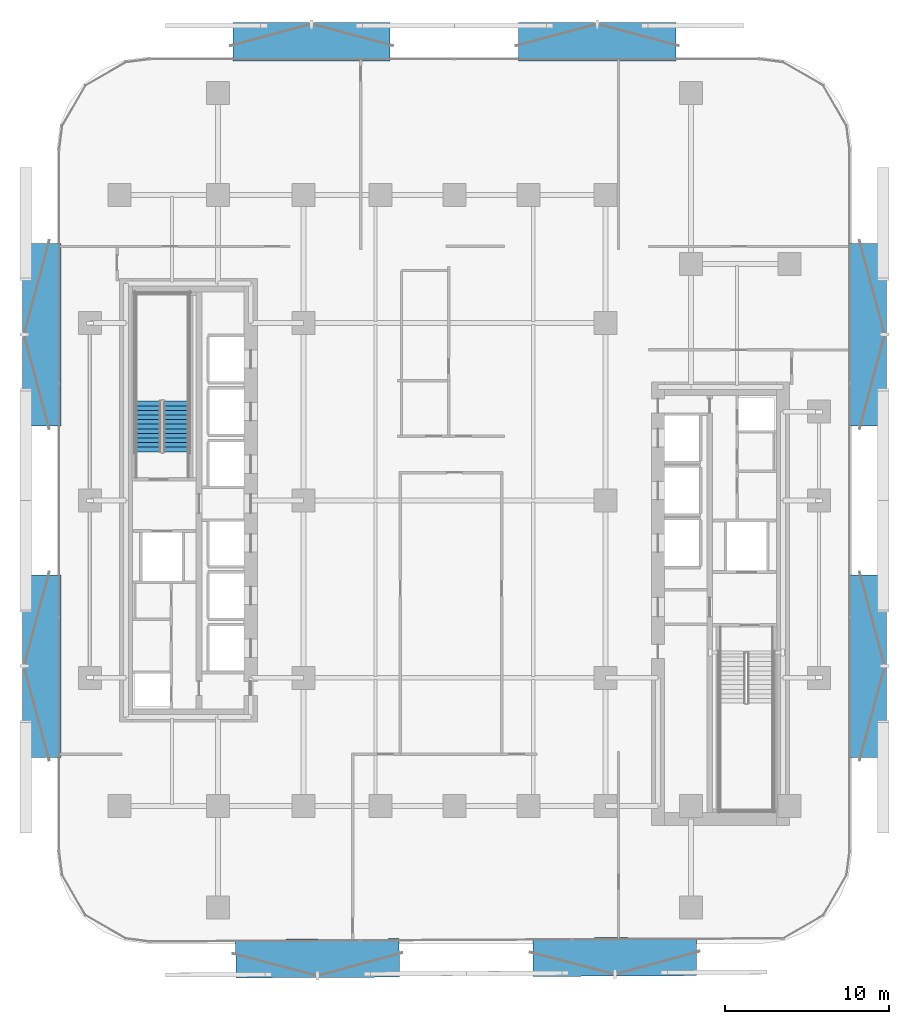
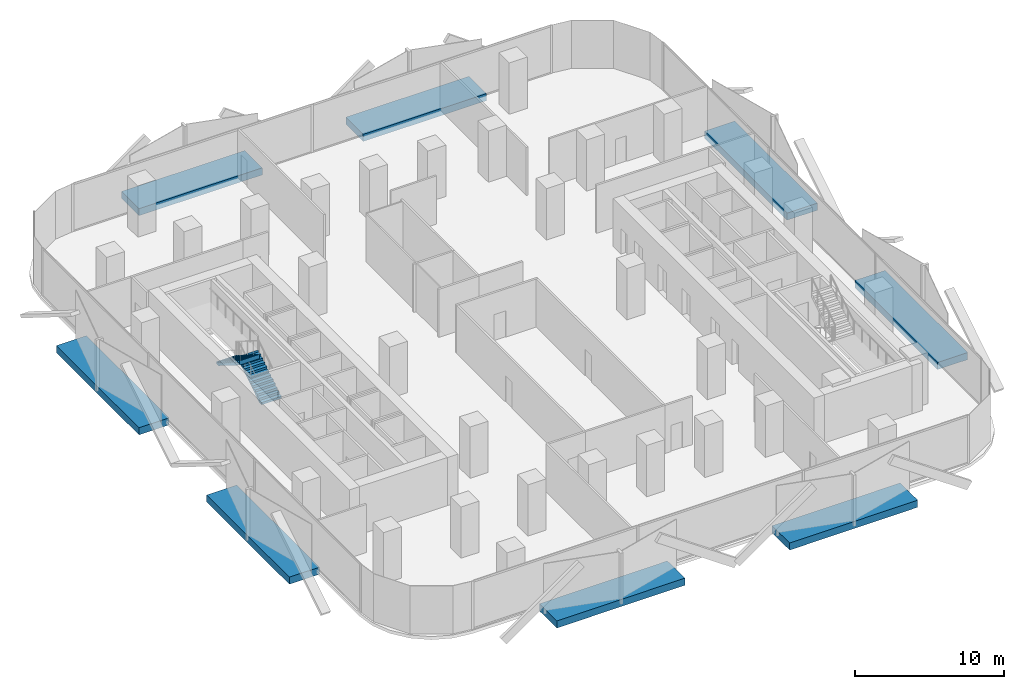
# One storey, part 6 of 15: 8 discrete accessories, 2 stair flights, 1 element without a shape of its own.
"""IFC4 building model written with IfcOpenShell, lengths in metres."""

from ifc_helpers import new_model, si_unit, direction, frame, origin, origin_2d, place, context, subcontext, project, spatial, polyline, rectangle, outline, extrude, material, layer, layer_set, type_object, element, aggregate, save


model = new_model("IFC4")

# Units and contexts
model_context = context("Model", 3, precision=1e-05, world=origin(), true_north=direction((0.0, 1.0)))
body_context = subcontext(model_context, "Body", "Model", "MODEL_VIEW")
ifc_project = project(units=[si_unit("LENGTHUNIT", "METRE"), si_unit("AREAUNIT", "SQUARE_METRE"), si_unit("VOLUMEUNIT", "CUBIC_METRE"), si_unit("PLANEANGLEUNIT", "RADIAN"), si_unit("MASSUNIT", "GRAM", prefix="KILO")], contexts=[model_context])

# Site, building, storey
site_placement = place(None, origin())
site = spatial("IfcSite", under=ifc_project, at=site_placement, CompositionType="ELEMENT")
building_placement = place(site_placement, origin())
building = spatial("IfcBuilding", under=site, at=building_placement, Name="Khairoan Windgate Tower", CompositionType="ELEMENT")
storey_placement = place(building_placement, frame((0.0, 0.0, 38.60009765625)))
storey = spatial("IfcBuildingStorey", under=building, at=storey_placement, Name="L09", CompositionType="ELEMENT", Elevation=38.60009765625)

# Stair, stair flights
ifc_material_1 = material(Name="Concrete C40/50", Category="concrete")
stair_type = type_object("IfcStairType", Name="Tower Core Dog-Leg Stair ST-T1 1560mm", PredefinedType="HALF_TURN_STAIR", material=ifc_material_1)
stair_placement = place(storey_placement, origin())
stair = element("IfcStair", 1, at=stair_placement, inside=storey, type_object=stair_type, Name="L09 Stair ST2", PredefinedType="HALF_TURN_STAIR")
ifc_material_2 = material(Name="Concrete C40/50", Category="concrete")
ifc_layer = layer(ifc_material_2, 0.14990234375, Name="Concrete C40/50")
ifc_layer_set = layer_set([ifc_layer], Name="Concrete C40/50")
stair_flight_type = type_object("IfcStairFlightType", Name="Tower Core Stair Flight STF-1560", PredefinedType="STRAIGHT", material=ifc_layer_set)
stair_flight_1_placement = place(storey_placement, frame((-16.929931640625, 2.9599609375, 0.0), z_axis=(0.0, 0.0, 1.0), x_axis=(0.0, 1.0, 0.0)))
stair_flight_1 = element("IfcStairFlight", 2, at=stair_flight_1_placement, type_object=stair_flight_type, Name="ST2 flight 1", NumberOfRisers=12, NumberOfTreads=11, PredefinedType="STRAIGHT", RiserHeight=0.175, TreadLength=0.28, context=body_context, shape_type="SweptSolid", body=[
    extrude(outline(polyline([(-0.00390625, 0.0), (-0.00390625, 0.175048828125), (0.0, 0.175048828125), (0.280029296875, 0.175048828125), (0.280029296875, 0.35009765625), (0.56005859375, 0.35009765625), (0.56005859375, 0.52490234375), (0.840087890625, 0.52490234375), (0.840087890625, 0.699951171875), (1.1201171875, 0.699951171875), (1.1201171875, 0.875), (1.39990234375, 0.875), (1.39990234375, 1.050048828125), (1.679931640625, 1.050048828125), (1.679931640625, 1.22509765625), (1.9599609375, 1.22509765625), (1.9599609375, 1.39990234375), (2.239990234375, 1.39990234375), (2.239990234375, 1.574951171875), (2.52001953125, 1.574951171875), (2.52001953125, 1.75), (2.800048828125, 1.75), (2.800048828125, 1.925048828125), (3.080078125, 1.925048828125), (3.080078125, 2.10009765625), (3.083984375, 2.10009765625), (3.083984375, 1.748291015625), (0.28271484375, 0.0), (-0.00390625, 0.0)])), frame((0.0, 0.780029296875, 0.0), z_axis=(0.0, -1.0, 0.0), x_axis=(1.0, 0.0, 0.0)), (0.0, 0.0, 1.0), 1.56005859375),
])
stair_flight_2_placement = place(storey_placement, frame((-18.639892578125, 6.0400390625, 2.099853515625), z_axis=(0.0, 0.0, 1.0), x_axis=(0.0, -1.0, 0.0)))
stair_flight_2 = element("IfcStairFlight", 3, at=stair_flight_2_placement, type_object=stair_flight_type, Name="ST2 flight 2", NumberOfRisers=12, NumberOfTreads=11, PredefinedType="STRAIGHT", RiserHeight=0.175, TreadLength=0.28, context=body_context, shape_type="SweptSolid", body=[
    extrude(outline(polyline([(-0.00390625, 0.0), (-0.00390625, 0.175048828125), (0.0, 0.175048828125), (0.280029296875, 0.175048828125), (0.280029296875, 0.35009765625), (0.56005859375, 0.35009765625), (0.56005859375, 0.52490234375), (0.840087890625, 0.52490234375), (0.840087890625, 0.699951171875), (1.1201171875, 0.699951171875), (1.1201171875, 0.875), (1.39990234375, 0.875), (1.39990234375, 1.050048828125), (1.679931640625, 1.050048828125), (1.679931640625, 1.22509765625), (1.9599609375, 1.22509765625), (1.9599609375, 1.39990234375), (2.239990234375, 1.39990234375), (2.239990234375, 1.574951171875), (2.52001953125, 1.574951171875), (2.52001953125, 1.75), (2.800048828125, 1.75), (2.800048828125, 1.925048828125), (3.080078125, 1.925048828125), (3.080078125, 2.10009765625), (3.083984375, 2.10009765625), (3.083984375, 1.748291015625), (0.28271484375, 0.0), (-0.00390625, 0.0)])), frame((0.0, 0.780029296875, 0.0), z_axis=(0.0, -1.0, 0.0), x_axis=(1.0, 0.0, 0.0)), (0.0, 0.0, 1.0), 1.56005859375),
])
aggregate(stair, [stair_flight_1, stair_flight_2])

# Discrete accessories
ifc_material_3 = material(Name="Steel S355", Category="steel")
discrete_accessory_type = type_object("IfcDiscreteAccessoryType", Name="Solar Screen Outrigger Slab Bracket SSB-1", PredefinedType="BRACKET", material=ifc_material_3)
for number, where, z_axis, x_axis, name in (
    (4, (9.76708984375, -27.79248046875, -0.420166015625), (0.0, 0.0, 1.0), (-0.999988059021, -0.004886902454, 0.0), "L09 Solar Screen Outrigger Bracket 25"),
    (5, (-8.334716796875, -27.88037109375, -0.420166015625), (0.0, 0.0, 1.0), (-0.999988059021, -0.004886902454, 0.0), "L09 Solar Screen Outrigger Bracket 26"),
):
    element("IfcDiscreteAccessory", number, at=place(storey_placement, frame(where, z_axis=z_axis, x_axis=x_axis)), inside=storey, type_object=discrete_accessory_type, Name=name, PredefinedType="BRACKET", context=body_context, shape_type="SweptSolid", body=[
        extrude(rectangle(XDim=9.9560546875, YDim=2.340087890625, at=origin_2d()), origin(), (0.0, 0.0, 1.0), 0.580078125),
    ])
for number, where, z_axis, x_axis, name in (
    (6, (-25.1298828125, -10.095458984375, -0.420166015625), (0.0, 0.0, 1.0), (0.0, 1.0, 0.0), "L09 Solar Screen Outrigger Bracket 27"),
    (7, (-25.1298828125, 10.095458984375, -0.420166015625), (0.0, 0.0, 1.0), (0.0, 1.0, 0.0), "L09 Solar Screen Outrigger Bracket 28"),
):
    element("IfcDiscreteAccessory", number, at=place(storey_placement, frame(where, z_axis=z_axis, x_axis=x_axis)), inside=storey, type_object=discrete_accessory_type, Name=name, PredefinedType="BRACKET", context=body_context, shape_type="SweptSolid", body=[
        extrude(rectangle(XDim=11.10498046875, YDim=2.340087890625, at=origin_2d()), origin(), (0.0, 0.0, 1.0), 0.580078125),
    ])
for number, where, z_axis, x_axis, name in (
    (8, (-8.6953125, 27.929931640625, -0.420166015625), (0.0, 0.0, 1.0), (1.0, 0.0, 0.0), "L09 Solar Screen Outrigger Bracket 29"),
    (9, (8.6953125, 27.929931640625, -0.420166015625), (0.0, 0.0, 1.0), (1.0, 0.0, 0.0), "L09 Solar Screen Outrigger Bracket 30"),
):
    element("IfcDiscreteAccessory", number, at=place(storey_placement, frame(where, z_axis=z_axis, x_axis=x_axis)), inside=storey, type_object=discrete_accessory_type, Name=name, PredefinedType="BRACKET", context=body_context, shape_type="SweptSolid", body=[
        extrude(rectangle(XDim=9.56494140625, YDim=2.340087890625, at=origin_2d()), origin(), (0.0, 0.0, 1.0), 0.580078125),
    ])
for number, where, z_axis, x_axis, name in (
    (10, (25.1298828125, 10.095458984375, -0.420166015625), (0.0, 0.0, 1.0), (0.0, -1.0, 0.0), "L09 Solar Screen Outrigger Bracket 31"),
    (11, (25.1298828125, -10.095458984375, -0.420166015625), (0.0, 0.0, 1.0), (0.0, -1.0, 0.0), "L09 Solar Screen Outrigger Bracket 32"),
):
    element("IfcDiscreteAccessory", number, at=place(storey_placement, frame(where, z_axis=z_axis, x_axis=x_axis)), inside=storey, type_object=discrete_accessory_type, Name=name, PredefinedType="BRACKET", context=body_context, shape_type="SweptSolid", body=[
        extrude(rectangle(XDim=11.10498046875, YDim=2.340087890625, at=origin_2d()), origin(), (0.0, 0.0, 1.0), 0.580078125),
    ])

save(model, "model.ifc")
